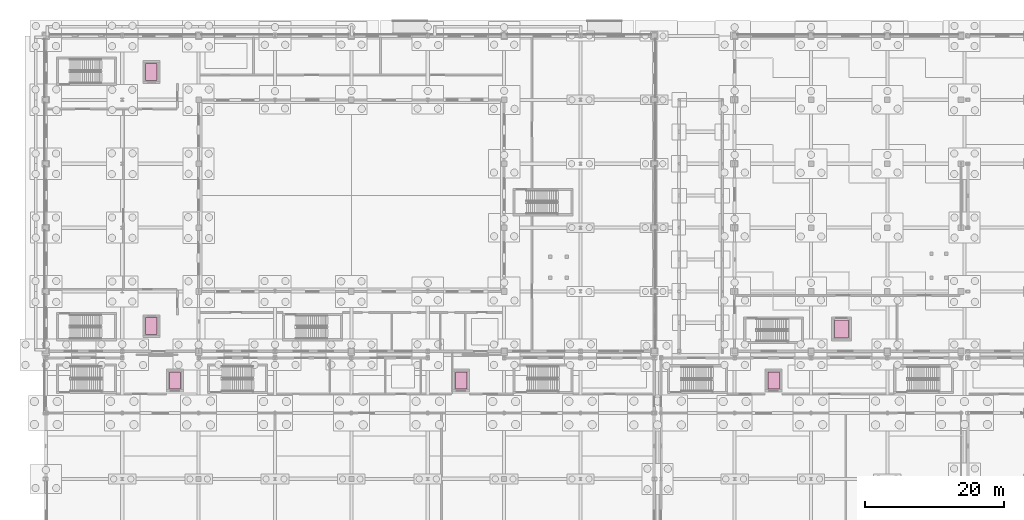
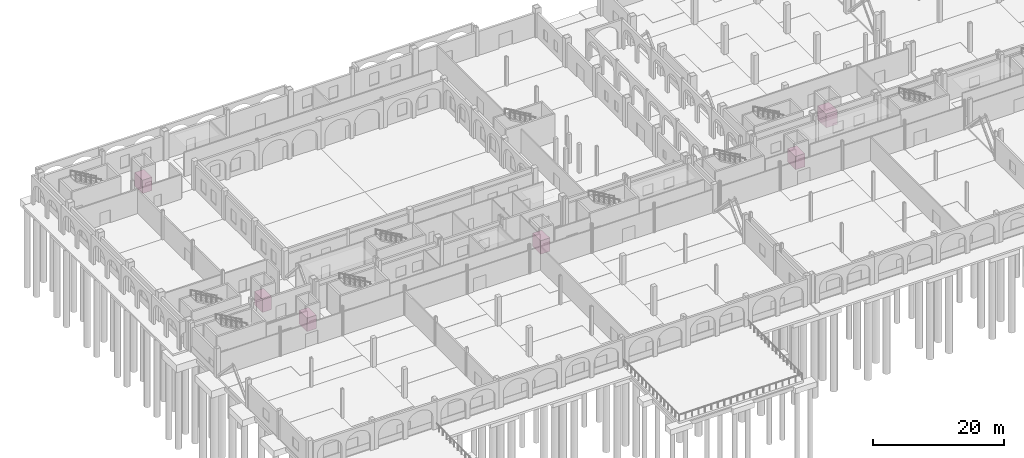
# One storey, part 83 of 83: 6 transport elements.
"""IFC4 building model written with IfcOpenShell, lengths in metres."""

import ifcopenshell
import ifcopenshell.guid

model = None  # the IFC model being written
_history = None  # IfcOwnerHistory: only IFC2X3 demands one
_inside = {}  # id of a spatial element -> (the spatial element, [elements in it])
_under = {}  # id of a project, library or spatial element -> (it, [spatial elements below it])
_declared = {}  # id of a project -> (the project, [libraries it declares])
_typed = {}  # id of a type object -> (the type object, [elements of that type])
_made_of = {}  # id of a material, layer set ... -> (it, [elements and type objects made of it])


def new_model(schema):
    """Start an empty IFC model of exactly this schema.

    Asked for "IFC4X3", IfcOpenShell would pick the latest addendum, in which some entities
    have other attributes; the version numbers below select the first issue.
    IFC2X3 requires an IfcOwnerHistory on every rooted entity: one is made here for all.
    """
    global model, _history
    if schema == "IFC4X3":
        model = ifcopenshell.file(schema_version=(4, 3, 0, 0))
    else:
        model = ifcopenshell.file(schema=schema)
    _inside.clear()
    _under.clear()
    _declared.clear()
    _typed.clear()
    _made_of.clear()
    _history = None
    if model.schema == "IFC2X3":
        org = make("IfcOrganization", Name="unknown")
        user = make(
            "IfcPersonAndOrganization",
            ThePerson=make("IfcPerson", FamilyName="unknown"),
            TheOrganization=org,
        )
        app = make(
            "IfcApplication",
            ApplicationDeveloper=org,
            Version="unknown",
            ApplicationFullName="unknown",
            ApplicationIdentifier="unknown",
        )
        _history = make(
            "IfcOwnerHistory",
            OwningUser=user,
            OwningApplication=app,
            ChangeAction="ADDED",
            CreationDate=0,
        )
    return model


def make(cls, **values):
    """One entity of the class cls with the attributes given. An attribute that is None is left unset."""
    return model.create_entity(
        cls, **{name: value for name, value in values.items() if value is not None}
    )


def rooted(cls, **values):
    """An entity with a GlobalId (a new one), such as an element, a storey or a relation."""
    return make(cls, GlobalId=ifcopenshell.guid.new(), OwnerHistory=_history, **values)


def si_unit(unit_type, name, prefix=None):
    """IfcSIUnit, for example si_unit("LENGTHUNIT", "METRE", prefix="MILLI")."""
    return make("IfcSIUnit", UnitType=unit_type, Prefix=prefix, Name=name)


def assignment(units):
    """IfcUnitAssignment: the units of a project."""
    return None if units is None else make("IfcUnitAssignment", Units=units)


def point(xyz):
    """IfcCartesianPoint."""
    return None if xyz is None else make("IfcCartesianPoint", Coordinates=xyz)


def direction(xyz):
    """IfcDirection."""
    return None if xyz is None else make("IfcDirection", DirectionRatios=xyz)


def frame(location, z_axis=None, x_axis=None):
    """IfcAxis2Placement3D, a coordinate frame: its origin and axes. An axis left out is left unset."""
    return make(
        "IfcAxis2Placement3D",
        Location=point(location),
        Axis=direction(z_axis),
        RefDirection=direction(x_axis),
    )


def frame_2d(location, x_axis=None):
    """IfcAxis2Placement2D, a coordinate frame in the plane: its origin and x axis."""
    return make(
        "IfcAxis2Placement2D", Location=point(location), RefDirection=direction(x_axis)
    )


def origin():
    """The frame at (0, 0, 0) with its axes left unset."""
    return frame((0.0, 0.0, 0.0))


def origin_2d():
    """The frame at (0, 0) in the plane with its x axis left unset."""
    return frame_2d((0.0, 0.0))


def place(relative_to, where):
    """IfcLocalPlacement: puts the frame where relative to a parent placement (None: the world)."""
    return make(
        "IfcLocalPlacement", PlacementRelTo=relative_to, RelativePlacement=where
    )


def context(
    kind, dimensions, precision=None, world=None, true_north=None, identifier=None
):
    """IfcGeometricRepresentationContext, for example the 3D "Model" context."""
    return make(
        "IfcGeometricRepresentationContext",
        ContextIdentifier=identifier,
        ContextType=kind,
        CoordinateSpaceDimension=dimensions,
        Precision=precision,
        WorldCoordinateSystem=world,
        TrueNorth=true_north,
    )


def subcontext(parent, identifier, kind, view, scale=None):
    """IfcGeometricRepresentationSubContext, for example "Body" below "Model"."""
    return make(
        "IfcGeometricRepresentationSubContext",
        ContextIdentifier=identifier,
        ContextType=kind,
        ParentContext=parent,
        TargetScale=scale,
        TargetView=view,
    )


def project(units=None, contexts=None):
    """IfcProject with its units and contexts."""
    return rooted(
        "IfcProject",
        Name="project",
        RepresentationContexts=contexts,
        UnitsInContext=assignment(units),
    )


def spatial(cls, under=None, at=None, **own):
    """A site, building, storey or space (cls), placed at a placement, below another one or the project."""
    s = rooted(cls, ObjectPlacement=at, **own)
    if under is not None:
        _under.setdefault(under.id(), (under, []))[1].append(s)
    return s


def profile(cls, at=None, kind="AREA", **sizes):
    """A parametric profile (cls). Its sizes go by their IFC names, for example OverallWidth=200.0."""
    return make(cls, ProfileType=kind, Position=at, **sizes)


def rectangle(**sizes):
    """IfcRectangleProfileDef."""
    return profile("IfcRectangleProfileDef", **sizes)


def extrude(swept, where, along, depth):
    """IfcExtrudedAreaSolid: the profile swept, set in the frame where, extruded along a direction by depth."""
    return make(
        "IfcExtrudedAreaSolid",
        SweptArea=swept,
        Position=where,
        ExtrudedDirection=direction(along),
        Depth=depth,
    )


def shape(context_of_items, identifier, shape_type, items):
    """IfcShapeRepresentation: the items that make up one representation, for example the "Body"."""
    return make(
        "IfcShapeRepresentation",
        ContextOfItems=context_of_items,
        RepresentationIdentifier=identifier,
        RepresentationType=shape_type,
        Items=items,
    )


def material(Name=None, Category=None):
    """IfcMaterial."""
    return make("IfcMaterial", Name=Name, Category=Category)


def made_of(thing, what):
    """Note that an element or type object is made of a material, layer set ...; save() writes the relation."""
    if what is not None:
        _made_of.setdefault(what.id(), (what, []))[1].append(thing)
    return thing


def type_object(cls, material=None, **own):
    """A type object (cls), such as IfcWallType, which elements share."""
    return made_of(rooted(cls, **own), material)


def element(
    cls,
    number,
    at=None,
    inside=None,
    cuts=None,
    type_object=None,
    material=None,
    context=None,
    identifier="Body",
    shape_type=None,
    held_by="IfcProductDefinitionShape",
    body=None,
    shapes=None,
    **own,
):
    """One element of the class cls, such as IfcWall. Its Tag is "e" and its number.

    at: its placement. inside: the storey or other place that contains it. cuts: it is an
    opening in that element (IfcRelVoidsElement). A single representation is given by context,
    identifier, shape_type and body (its items); several are given by shapes. held_by: the class
    of the entity that holds the representations. save() writes the other relations.
    """
    e = rooted(cls, Tag="e%d" % number, ObjectPlacement=at, **own)
    if body is not None:
        shapes = [shape(context, identifier, shape_type, body)]
    if shapes is not None:
        e.Representation = make(held_by, Representations=shapes)
    if inside is not None:
        _inside.setdefault(inside.id(), (inside, []))[1].append(e)
    if cuts is not None:
        rooted(
            "IfcRelVoidsElement", RelatingBuildingElement=cuts, RelatedOpeningElement=e
        )
    if type_object is not None:
        _typed.setdefault(type_object.id(), (type_object, []))[1].append(e)
    return made_of(e, material)


def aggregate(whole, parts):
    """IfcRelAggregates: a whole, such as a stair, and the parts it consists of."""
    return rooted("IfcRelAggregates", RelatingObject=whole, RelatedObjects=parts)


def save(model, path):
    """Write the relations noted so far, then the file.

    IfcRelAggregates (storeys below a building ...), IfcRelContainedInSpatialStructure (elements
    in a storey), IfcRelDefinesByType, IfcRelAssociatesMaterial and IfcRelDeclares: one each for
    every whole, place, type object, material and project.
    """
    for whole, parts in _under.values():
        aggregate(whole, parts)
    for where, things in _inside.values():
        rooted(
            "IfcRelContainedInSpatialStructure",
            RelatedElements=things,
            RelatingStructure=where,
        )
    for kind, things in _typed.values():
        rooted("IfcRelDefinesByType", RelatedObjects=things, RelatingType=kind)
    for what, things in _made_of.values():
        rooted("IfcRelAssociatesMaterial", RelatedObjects=things, RelatingMaterial=what)
    for by, libraries in _declared.values():
        rooted("IfcRelDeclares", RelatingContext=by, RelatedDefinitions=libraries)
    model.write(path)


model = new_model("IFC4")

# Units and contexts
model_context = context("Model", 3, precision=1e-05, world=origin(), true_north=direction((0.0, 1.0)))
body_context = subcontext(model_context, "Body", "Model", "MODEL_VIEW")
ifc_project = project(units=[si_unit("LENGTHUNIT", "METRE"), si_unit("AREAUNIT", "SQUARE_METRE"), si_unit("VOLUMEUNIT", "CUBIC_METRE"), si_unit("PLANEANGLEUNIT", "RADIAN"), si_unit("MASSUNIT", "GRAM", prefix="KILO")], contexts=[model_context])

# Site, building, storey
site_placement = place(None, origin())
site = spatial("IfcSite", under=ifc_project, at=site_placement, CompositionType="ELEMENT")
building_placement = place(site_placement, origin())
building = spatial("IfcBuilding", under=site, at=building_placement, Name="Caurita Quay Ferry Terminal", CompositionType="ELEMENT")
storey_placement = place(building_placement, origin())
storey = spatial("IfcBuildingStorey", under=building, at=storey_placement, Name="L00", CompositionType="ELEMENT", Elevation=0.0)

# Transport elements
ifc_material = material(Name="Bronze architectural metalwork", Category="metal")
transport_element_type_1 = type_object("IfcTransportElementType", Name="LFT-LF-FF", PredefinedType="ELEVATOR", material=ifc_material)
for number, where, z_axis, x_axis, name in (
    (1, (15.199951171875, 111.800048828125, 0.0), (0.0, 0.0, 1.0), (1.0, 0.0, 0.0), "Firefighting Lift LF-01"),
    (2, (15.199951171875, 75.199951171875, 0.0), (0.0, 0.0, 1.0), (1.0, 0.0, 0.0), "Firefighting Lift LF-02"),
):
    element("IfcTransportElement", number, at=place(storey_placement, frame(where, z_axis=z_axis, x_axis=x_axis)), inside=storey, type_object=transport_element_type_1, Name=name, PredefinedType="ELEVATOR", context=body_context, shape_type="SweptSolid", body=[
        extrude(rectangle(XDim=1.64990234375, YDim=2.449951171875, at=origin_2d()), origin(), (0.0, 0.0, 1.0), 2.5),
    ])
transport_element_type_2 = type_object("IfcTransportElementType", Name="LFT-LG-FR", PredefinedType="ELEVATOR", material=ifc_material)
transport_element_placement = place(storey_placement, frame((114.60009765625, 74.800048828125, 0.0), z_axis=(0.0, 0.0, 1.0), x_axis=(1.0, 0.0, 0.0)))
element("IfcTransportElement", 3, at=transport_element_placement, inside=storey, type_object=transport_element_type_2, Name="Freight and Baggage Lift LG-01", PredefinedType="ELEVATOR", context=body_context, shape_type="SweptSolid", body=[
    extrude(rectangle(XDim=2.0, YDim=2.60009765625, at=origin_2d()), origin(), (0.0, 0.0, 1.0), 2.60009765625),
])
transport_element_type_3 = type_object("IfcTransportElementType", Name="LFT-LP-ST", PredefinedType="ELEVATOR", material=ifc_material)
for number, where, z_axis, x_axis, name in (
    (4, (18.60009765625, 67.39990234375, 0.0), (0.0, 0.0, 1.0), (1.0, 0.0, 0.0), "Passenger Lift LP-01"),
    (5, (59.800048828125, 67.39990234375, 0.0), (0.0, 0.0, 1.0), (1.0, 0.0, 0.0), "Passenger Lift LP-02"),
    (6, (104.800048828125, 67.39990234375, 0.0), (0.0, 0.0, 1.0), (1.0, 0.0, 0.0), "Passenger Lift LP-03"),
):
    element("IfcTransportElement", number, at=place(storey_placement, frame(where, z_axis=z_axis, x_axis=x_axis)), inside=storey, type_object=transport_element_type_3, Name=name, PredefinedType="ELEVATOR", context=body_context, shape_type="SweptSolid", body=[
        extrude(rectangle(XDim=1.64990234375, YDim=2.449951171875, at=origin_2d()), origin(), (0.0, 0.0, 1.0), 2.5),
    ])

save(model, "model.ifc")
